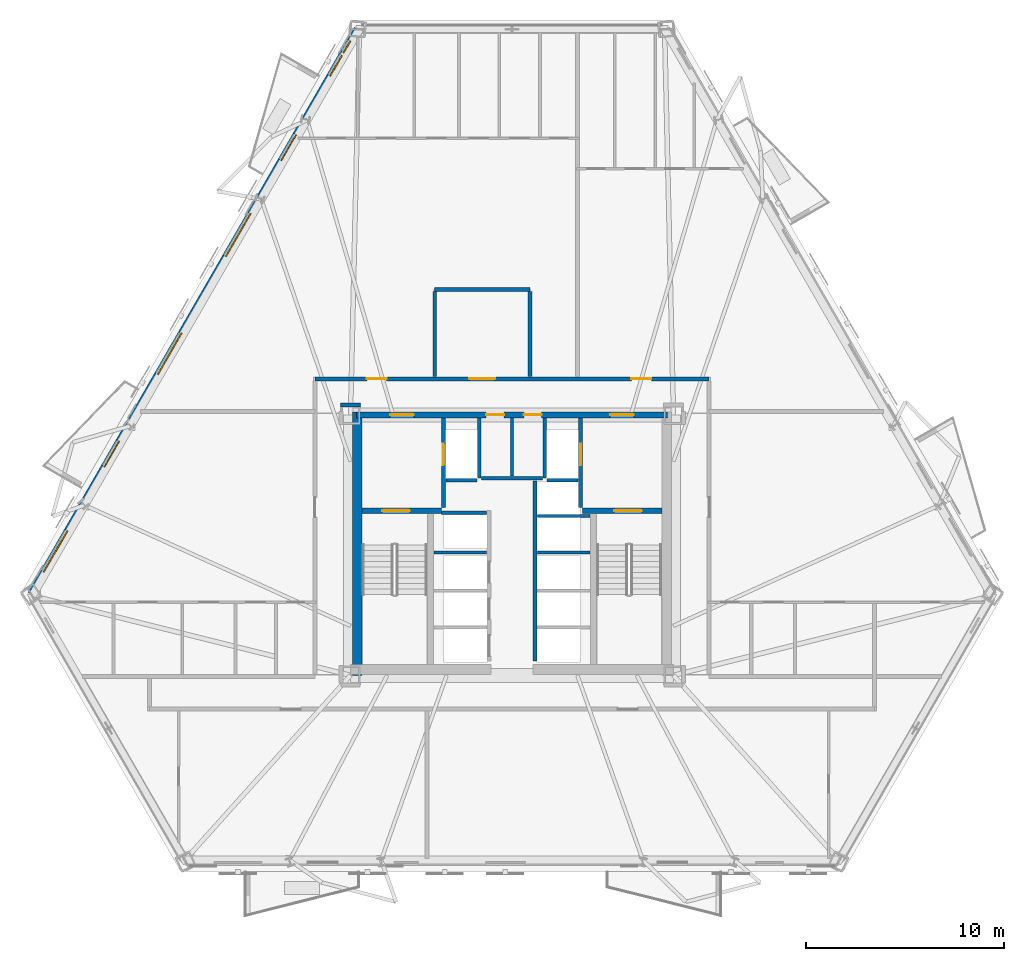
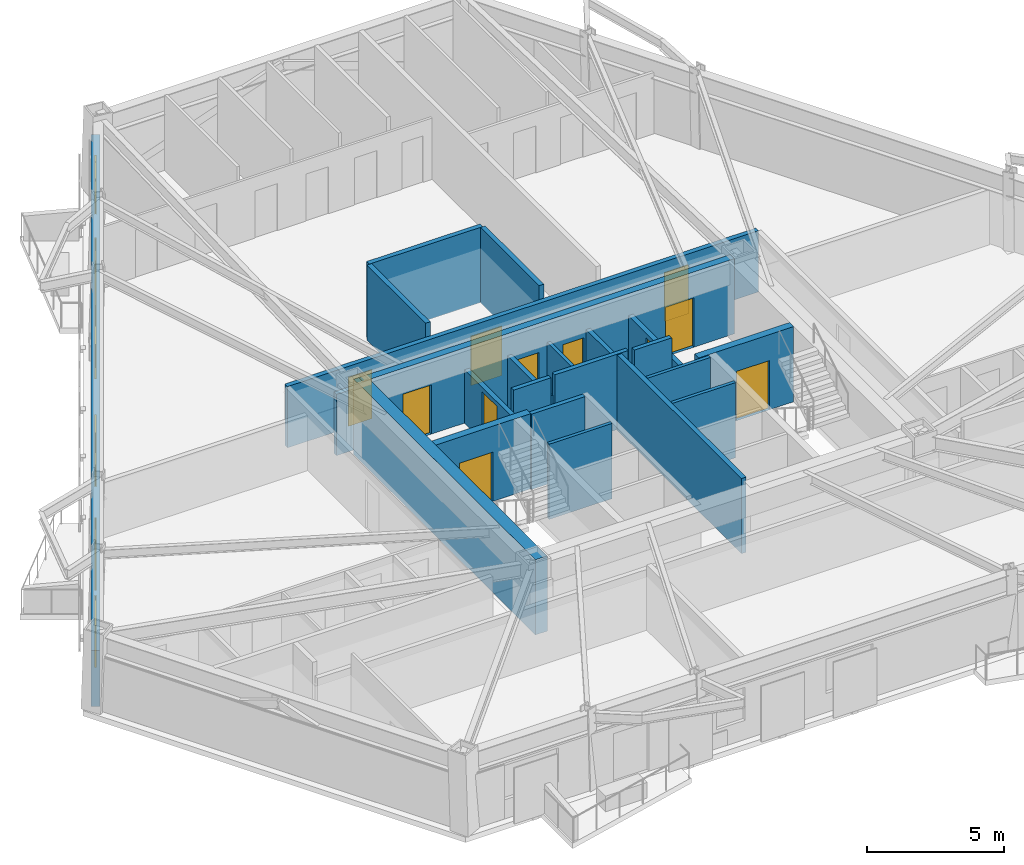
# One storey, part 4 of 12: 23 walls, 13 doors, 5 windows, 18 openings.
"""IFC4 building model written with IfcOpenShell, lengths in metres."""

from ifc_helpers import new_model, si_unit, direction, frame, frame_2d, origin, place, context, subcontext, project, spatial, rectangle, extrude, material, layer, layer_set, type_object, element, fill, save


model = new_model("IFC4")

# Units and contexts
model_context = context("Model", 3, precision=1e-05, world=origin(), true_north=direction((0.0, 1.0)))
body_context = subcontext(model_context, "Body", "Model", "MODEL_VIEW")
ifc_project = project(units=[si_unit("LENGTHUNIT", "METRE"), si_unit("AREAUNIT", "SQUARE_METRE"), si_unit("VOLUMEUNIT", "CUBIC_METRE"), si_unit("PLANEANGLEUNIT", "RADIAN"), si_unit("MASSUNIT", "GRAM", prefix="KILO")], contexts=[model_context])

# Site, building, storey
site_placement = place(None, origin())
site = spatial("IfcSite", under=ifc_project, at=site_placement, CompositionType="ELEMENT")
building_placement = place(site_placement, origin())
building = spatial("IfcBuilding", under=site, at=building_placement, Name="Oramaril Tower", CompositionType="ELEMENT")
storey_placement = place(building_placement, frame((0.0, 0.0, 34.5)))
storey = spatial("IfcBuildingStorey", under=building, at=storey_placement, Name="L08", CompositionType="ELEMENT", Elevation=34.5)

# Wall, openings, doors, windows
ifc_material_1 = material(Name="Warm Cream Limestone", Category="masonry")
ifc_layer_1 = layer(ifc_material_1, 0.340087890625)
ifc_layer_set_1 = layer_set([ifc_layer_1], Name="WT-EXT34")
wall_type_1 = type_object("IfcWallType", Name="WT-EXT34", PredefinedType="SOLIDWALL", material=ifc_layer_set_1)
wall_1_placement = place(storey_placement, frame((29.683837890625, 43.621337890625, 0.0), z_axis=(0.0, 0.0, 1.0), x_axis=(-0.499999106891, -0.866025919421, 0.0)))
wall_1 = element("IfcWall", 1, at=wall_1_placement, inside=storey, type_object=wall_type_1, Name="L08 Tower Limestone Facade Wall 6M", PredefinedType="SOLIDWALL", context=body_context, shape_type="SweptSolid", body=[
    extrude(rectangle(XDim=32.923828125, YDim=0.340087890625, at=frame_2d((16.4619140625, 0.0))), origin(), (0.0, 0.0, 1.0), 2.493896484375),
])
opening_1_placement = place(wall_1_placement, frame((6.159423828125, 0.0, 0.0)))
opening_1 = element("IfcOpeningElement", 2, at=opening_1_placement, cuts=wall_1, Name="Opening D-L08-BAL-NW1", PredefinedType="OPENING", context=body_context, shape_type="SweptSolid", body=[
    extrude(rectangle(XDim=1.5, YDim=2.199951171875, at=frame_2d((0.75, 1.10009765625))), frame((0.0, 0.169921875, 0.0), z_axis=(0.0, -1.0, 0.0), x_axis=(1.0, 0.0, 0.0)), (0.0, 0.0, 1.0), 0.340087890625),
])
opening_2_placement = place(wall_1_placement, frame((24.019287109375, 0.0, 0.0)))
opening_2 = element("IfcOpeningElement", 3, at=opening_2_placement, cuts=wall_1, Name="Opening D-L08-BAL-NW2", PredefinedType="OPENING", context=body_context, shape_type="SweptSolid", body=[
    extrude(rectangle(XDim=1.5, YDim=2.199951171875, at=frame_2d((0.75, 1.10009765625))), frame((0.0, 0.169921875, 0.0), z_axis=(0.0, -1.0, 0.0), x_axis=(1.0, 0.0, 0.0)), (0.0, 0.0, 1.0), 0.340087890625),
])
opening_3_placement = place(wall_1_placement, frame((29.2451171875, 0.0, 0.85009765625)))
opening_3 = element("IfcOpeningElement", 4, at=opening_3_placement, cuts=wall_1, Name="Opening WN-03", PredefinedType="OPENING", context=body_context, shape_type="SweptSolid", body=[
    extrude(rectangle(XDim=2.39990234375, YDim=1.533935546875, at=frame_2d((1.199951171875, 0.76708984375))), frame((0.0, 0.169921875, 0.0), z_axis=(0.0, -1.0, 0.0), x_axis=(1.0, 0.0, 0.0)), (0.0, 0.0, 1.0), 0.340087890625),
])
opening_4_placement = place(wall_1_placement, frame((10.753173828125, 0.0, 0.85009765625)))
opening_4 = element("IfcOpeningElement", 5, at=opening_4_placement, cuts=wall_1, Name="Opening WN-11", PredefinedType="OPENING", context=body_context, shape_type="SweptSolid", body=[
    extrude(rectangle(XDim=2.5, YDim=1.533935546875, at=frame_2d((1.25, 0.76708984375))), frame((0.0, 0.169921875, 0.0), z_axis=(0.0, -1.0, 0.0), x_axis=(1.0, 0.0, 0.0)), (0.0, 0.0, 1.0), 0.340087890625),
])
opening_5_placement = place(wall_1_placement, frame((17.723388671875, 0.0, 0.85009765625)))
opening_5 = element("IfcOpeningElement", 6, at=opening_5_placement, cuts=wall_1, Name="Opening WN-03", PredefinedType="OPENING", context=body_context, shape_type="SweptSolid", body=[
    extrude(rectangle(XDim=2.39990234375, YDim=1.533935546875, at=frame_2d((1.199951171875, 0.76708984375))), frame((0.0, 0.169921875, 0.0), z_axis=(0.0, -1.0, 0.0), x_axis=(1.0, 0.0, 0.0)), (0.0, 0.0, 1.0), 0.340087890625),
])
opening_6_placement = place(wall_1_placement, frame((1.537841796875, 0.0, 0.85009765625)))
opening_6 = element("IfcOpeningElement", 7, at=opening_6_placement, cuts=wall_1, Name="Opening WN-09", PredefinedType="OPENING", context=body_context, shape_type="SweptSolid", body=[
    extrude(rectangle(XDim=1.199951171875, YDim=1.47998046875, at=frame_2d((0.60009765625, 0.739990234375))), frame((0.0, 0.169921875, 0.0), z_axis=(0.0, -1.0, 0.0), x_axis=(1.0, 0.0, 0.0)), (0.0, 0.0, 1.0), 0.340087890625),
])
opening_7_placement = place(wall_1_placement, frame((0.68994140625, 0.0, 0.85009765625)))
opening_7 = element("IfcOpeningElement", 8, at=opening_7_placement, cuts=wall_1, Name="Opening WN-14", PredefinedType="OPENING", context=body_context, shape_type="SweptSolid", body=[
    extrude(rectangle(XDim=0.699951171875, YDim=1.199951171875, at=frame_2d((0.35009765625, 0.60009765625))), frame((0.0, 0.169921875, 0.0), z_axis=(0.0, -1.0, 0.0), x_axis=(1.0, 0.0, 0.0)), (0.0, 0.0, 1.0), 0.340087890625),
])
ifc_material_2 = material(Name="Anodised Aluminium 6063-T6", Category="aluminium")
door_type_1 = type_object("IfcDoorType", Name="DT-BAL", OperationType="NOTDEFINED", PredefinedType="DOOR", material=ifc_material_2)
door_1_placement = place(opening_1_placement, origin())
door_1 = element("IfcDoor", 9, at=door_1_placement, inside=storey, type_object=door_type_1, Name="L08 Balcony Glazed Door L08-BAL-NW1", OperationType="SINGLE_SWING_LEFT", OverallHeight=2.199951171875, OverallWidth=1.5, PredefinedType="DOOR", context=body_context, shape_type="SweptSolid", body=[
    extrude(rectangle(XDim=1.5, YDim=2.199951171875, at=frame_2d((0.75, 1.10009765625))), frame((0.0, 0.02490234375, 0.0), z_axis=(0.0, -1.0, 0.0), x_axis=(1.0, 0.0, 0.0)), (0.0, 0.0, 1.0), 0.050048828125),
])
fill(opening_1, door_1)
door_2_placement = place(opening_2_placement, origin())
door_2 = element("IfcDoor", 10, at=door_2_placement, inside=storey, type_object=door_type_1, Name="L08 Balcony Glazed Door L08-BAL-NW2", OperationType="SINGLE_SWING_RIGHT", OverallHeight=2.199951171875, OverallWidth=1.5, PredefinedType="DOOR", context=body_context, shape_type="SweptSolid", body=[
    extrude(rectangle(XDim=1.5, YDim=2.199951171875, at=frame_2d((0.75, 1.10009765625))), frame((0.0, 0.02490234375, 0.0), z_axis=(0.0, -1.0, 0.0), x_axis=(1.0, 0.0, 0.0)), (0.0, 0.0, 1.0), 0.050048828125),
])
fill(opening_2, door_2)
ifc_material_3 = material(Name="Coastal Low-E Insulated Glass", Category="glass")
window_type_1 = type_object("IfcWindowType", Name="WNT-03", PartitioningType="SINGLE_PANEL", PredefinedType="WINDOW", material=ifc_material_3)
window_1_placement = place(opening_3_placement, origin())
window_1 = element("IfcWindow", 11, at=window_1_placement, inside=storey, type_object=window_type_1, Name="L08 Chicago Bay Window WN-03", OverallHeight=1.533935546875, OverallWidth=2.39990234375, PartitioningType="SINGLE_PANEL", PredefinedType="WINDOW", context=body_context, shape_type="SweptSolid", body=[
    extrude(rectangle(XDim=2.39990234375, YDim=1.533935546875, at=frame_2d((1.199951171875, 0.76708984375))), frame((0.0, 0.030029296875, 0.0), z_axis=(0.0, -1.0, 0.0), x_axis=(1.0, 0.0, 0.0)), (0.0, 0.0, 1.0), 0.06005859375),
])
fill(opening_3, window_1)
window_2_placement = place(opening_5_placement, origin())
window_2 = element("IfcWindow", 12, at=window_2_placement, inside=storey, type_object=window_type_1, Name="L08 Chicago Bay Window WN-03", OverallHeight=1.533935546875, OverallWidth=2.39990234375, PartitioningType="SINGLE_PANEL", PredefinedType="WINDOW", context=body_context, shape_type="SweptSolid", body=[
    extrude(rectangle(XDim=2.39990234375, YDim=1.533935546875, at=frame_2d((1.199951171875, 0.76708984375))), frame((0.0, 0.030029296875, 0.0), z_axis=(0.0, -1.0, 0.0), x_axis=(1.0, 0.0, 0.0)), (0.0, 0.0, 1.0), 0.06005859375),
])
fill(opening_5, window_2)
ifc_material_4 = material(Name="Coastal Low-E Insulated Glass", Category="glass")
window_type_2 = type_object("IfcWindowType", Name="WNT-09", PartitioningType="SINGLE_PANEL", PredefinedType="WINDOW", material=ifc_material_4)
window_3_placement = place(opening_6_placement, origin())
window_3 = element("IfcWindow", 13, at=window_3_placement, inside=storey, type_object=window_type_2, Name="L08 Chicago Bay Window WN-09", OverallHeight=1.47998046875, OverallWidth=1.199951171875, PartitioningType="SINGLE_PANEL", PredefinedType="WINDOW", context=body_context, shape_type="SweptSolid", body=[
    extrude(rectangle(XDim=1.199951171875, YDim=1.47998046875, at=frame_2d((0.60009765625, 0.739990234375))), frame((0.0, 0.030029296875, 0.0), z_axis=(0.0, -1.0, 0.0), x_axis=(1.0, 0.0, 0.0)), (0.0, 0.0, 1.0), 0.06005859375),
])
fill(opening_6, window_3)
ifc_material_5 = material(Name="Coastal Low-E Insulated Glass", Category="glass")
window_type_3 = type_object("IfcWindowType", Name="WNT-11", PartitioningType="SINGLE_PANEL", PredefinedType="WINDOW", material=ifc_material_5)
window_4_placement = place(opening_4_placement, origin())
window_4 = element("IfcWindow", 14, at=window_4_placement, inside=storey, type_object=window_type_3, Name="L08 Chicago Bay Window WN-11", OverallHeight=1.533935546875, OverallWidth=2.5, PartitioningType="SINGLE_PANEL", PredefinedType="WINDOW", context=body_context, shape_type="SweptSolid", body=[
    extrude(rectangle(XDim=2.5, YDim=1.533935546875, at=frame_2d((1.25, 0.76708984375))), frame((0.0, 0.030029296875, 0.0), z_axis=(0.0, -1.0, 0.0), x_axis=(1.0, 0.0, 0.0)), (0.0, 0.0, 1.0), 0.06005859375),
])
fill(opening_4, window_4)
ifc_material_6 = material(Name="Coastal Low-E Insulated Glass", Category="glass")
window_type_4 = type_object("IfcWindowType", Name="WNT-14", PartitioningType="SINGLE_PANEL", PredefinedType="WINDOW", material=ifc_material_6)
window_5_placement = place(opening_7_placement, origin())
window_5 = element("IfcWindow", 15, at=window_5_placement, inside=storey, type_object=window_type_4, Name="L08 Apartment Bedroom Window WN-14", OverallHeight=1.199951171875, OverallWidth=0.699951171875, PartitioningType="SINGLE_PANEL", PredefinedType="WINDOW", context=body_context, shape_type="SweptSolid", body=[
    extrude(rectangle(XDim=0.699951171875, YDim=1.199951171875, at=frame_2d((0.35009765625, 0.60009765625))), frame((0.0, 0.030029296875, 0.0), z_axis=(0.0, -1.0, 0.0), x_axis=(1.0, 0.0, 0.0)), (0.0, 0.0, 1.0), 0.06005859375),
])
fill(opening_7, window_5)

# Walls
ifc_material_7 = material(Name="Acoustic Gypsum Board Partition")
ifc_layer_2 = layer(ifc_material_7, 0.139892578125)
ifc_layer_set_2 = layer_set([ifc_layer_2], Name="WT-PT14")
wall_type_2 = type_object("IfcWallType", Name="WT-PT14", PredefinedType="PARTITIONING", material=ifc_layer_set_2)
for number, where, z_axis, x_axis, name in (
    (16, (33.56005859375, 17.199951171875, 0.0), (0.0, 0.0, 1.0), (1.0, 0.0, 0.0), "L08 West Lift Divider"),
    (17, (38.780029296875, 17.199951171875, 0.0), (0.0, 0.0, 1.0), (1.0, 0.0, 0.0), "L08 East Lift Divider"),
    (18, (38.780029296875, 19.050048828125, 0.0), (0.0, 0.0, 1.0), (1.0, 0.0, 0.0), "L08 East Lift Divider"),
):
    element("IfcWall", number, at=place(storey_placement, frame(where, z_axis=z_axis, x_axis=x_axis)), inside=storey, type_object=wall_type_2, Name=name, PredefinedType="PARTITIONING", context=body_context, shape_type="SweptSolid", body=[
        extrude(rectangle(XDim=2.659912109375, YDim=0.139892578125, at=frame_2d((1.330078125, 0.0))), origin(), (0.0, 0.0, 1.0), 3.360107421875),
    ])
wall_2_placement = place(storey_placement, frame((37.5, 21.06005859375, 0.0), z_axis=(0.0, 0.0, 1.0), x_axis=(0.0, 1.0, 0.0)))
element("IfcWall", 19, at=wall_2_placement, inside=storey, type_object=wall_type_2, Name="L08 Core Service Divider", PredefinedType="PARTITIONING", context=body_context, shape_type="SweptSolid", body=[
    extrude(rectangle(XDim=2.919921875, YDim=0.139892578125, at=frame_2d((1.4599609375, 0.0))), origin(), (0.0, 0.0, 1.0), 2.39990234375),
])
ifc_material_8 = material(Name="Autoclaved Cellular Concrete Block", Category="concrete")
ifc_layer_3 = layer(ifc_material_8, 0.179931640625)
ifc_layer_set_3 = layer_set([ifc_layer_3], Name="WT-PT18")
wall_type_3 = type_object("IfcWallType", Name="WT-PT18", PredefinedType="PARTITIONING", material=ifc_layer_set_3)
wall_3_placement = place(storey_placement, frame((35.840087890625, 20.9599609375, 0.0), z_axis=(0.0, 0.0, 1.0), x_axis=(0.0, 1.0, 0.0)))
element("IfcWall", 20, at=wall_3_placement, inside=storey, type_object=wall_type_3, Name="L08 FL-1 East Shaft Wall", PredefinedType="PARTITIONING", context=body_context, shape_type="SweptSolid", body=[
    extrude(rectangle(XDim=3.02001953125, YDim=0.179931640625, at=frame_2d((1.510009765625, 0.0))), origin(), (0.0, 0.0, 1.0), 2.39990234375),
])
wall_4_placement = place(storey_placement, frame((34.159912109375, 20.860107421875, 0.0), z_axis=(0.0, 0.0, 1.0), x_axis=(1.0, 0.0, 0.0)))
element("IfcWall", 21, at=wall_4_placement, inside=storey, type_object=wall_type_3, Name="L08 FL-1 South Shaft Wall", PredefinedType="PARTITIONING", context=body_context, shape_type="SweptSolid", body=[
    extrude(rectangle(XDim=1.580078125, YDim=0.179931640625, at=frame_2d((0.7900390625, 0.0))), origin(), (0.0, 0.0, 1.0), 3.360107421875),
])
wall_5_placement = place(storey_placement, frame((39.159912109375, 20.9599609375, 0.0), z_axis=(0.0, 0.0, 1.0), x_axis=(0.0, 1.0, 0.0)))
element("IfcWall", 22, at=wall_5_placement, inside=storey, type_object=wall_type_3, Name="L08 FL-2 West Shaft Wall", PredefinedType="PARTITIONING", context=body_context, shape_type="SweptSolid", body=[
    extrude(rectangle(XDim=3.02001953125, YDim=0.179931640625, at=frame_2d((1.510009765625, 0.0))), origin(), (0.0, 0.0, 1.0), 2.39990234375),
])
wall_6_placement = place(storey_placement, frame((39.260009765625, 20.860107421875, 0.0), z_axis=(0.0, 0.0, 1.0), x_axis=(1.0, 0.0, 0.0)))
element("IfcWall", 23, at=wall_6_placement, inside=storey, type_object=wall_type_3, Name="L08 FL-2 South Shaft Wall", PredefinedType="PARTITIONING", context=body_context, shape_type="SweptSolid", body=[
    extrude(rectangle(XDim=1.580078125, YDim=0.179931640625, at=frame_2d((0.7900390625, 0.0))), origin(), (0.0, 0.0, 1.0), 3.360107421875),
])
wall_7_placement = place(storey_placement, frame((33.949951171875, 19.199951171875, 0.0), z_axis=(0.0, 0.0, 1.0), x_axis=(1.0, 0.0, 0.0)))
element("IfcWall", 24, at=wall_7_placement, inside=storey, type_object=wall_type_3, Name="L08 High-Rise Lift H1 North Shaft Wall", PredefinedType="PARTITIONING", context=body_context, shape_type="SweptSolid", body=[
    extrude(rectangle(XDim=2.27001953125, YDim=0.179931640625, at=frame_2d((1.135009765625, 0.0))), origin(), (0.0, 0.0, 1.0), 3.360107421875),
])
wall_8_placement = place(storey_placement, frame((35.949951171875, 20.949951171875, 0.0), z_axis=(0.0, 0.0, 1.0), x_axis=(1.0, 0.0, 0.0)))
element("IfcWall", 25, at=wall_8_placement, inside=storey, type_object=wall_type_3, Name="L08 Lift Lobby North Partition", PredefinedType="PARTITIONING", context=body_context, shape_type="SweptSolid", body=[
    extrude(rectangle(XDim=3.10009765625, YDim=0.179931640625, at=frame_2d((1.550048828125, 0.0))), origin(), (0.0, 0.0, 1.0), 3.360107421875),
])
ifc_material_9 = material(Name="Autoclaved Cellular Concrete Block", Category="concrete")
ifc_layer_4 = layer(ifc_material_9, 0.199951171875)
ifc_layer_set_4 = layer_set([ifc_layer_4], Name="WT-PT20")
wall_type_4 = type_object("IfcWallType", Name="WT-PT20", PredefinedType="PARTITIONING", material=ifc_layer_set_4)
wall_9_placement = place(storey_placement, frame((28.85498046875, 24.639892578125, 0.0), z_axis=(0.0, 0.0, 1.0), x_axis=(1.0, 0.0, 0.0)))
element("IfcWall", 26, at=wall_9_placement, inside=storey, type_object=wall_type_4, Name="L08 Interior Partition PT-20", PredefinedType="PARTITIONING", context=body_context, shape_type="SweptSolid", body=[
    extrude(rectangle(XDim=0.989990234375, YDim=0.199951171875, at=frame_2d((0.4951171875, 0.0))), origin(), (0.0, 0.0, 1.0), 2.738037109375),
])

# Wall, openings, doors
wall_10_placement = place(storey_placement, frame((27.550048828125, 25.969970703125, 0.0), z_axis=(0.0, 0.0, 1.0), x_axis=(1.0, 0.0, 0.0)))
wall_10 = element("IfcWall", 27, at=wall_10_placement, inside=storey, type_object=wall_type_4, Name="L08 Interior Partition PT-20", PredefinedType="PARTITIONING", context=body_context, shape_type="SweptSolid", body=[
    extrude(rectangle(XDim=19.89990234375, YDim=0.199951171875, at=frame_2d((9.949951171875, 0.0))), origin(), (0.0, 0.0, 1.0), 2.738037109375),
])
opening_8_placement = place(wall_10_placement, frame((2.618896484375, 0.0, 0.0)))
opening_8 = element("IfcOpeningElement", 28, at=opening_8_placement, cuts=wall_10, Name="Opening D-L08-12", PredefinedType="OPENING", context=body_context, shape_type="SweptSolid", body=[
    extrude(rectangle(XDim=1.0, YDim=2.179931640625, at=frame_2d((0.5, 1.08984375))), frame((0.0, 0.10009765625, 0.0), z_axis=(0.0, -1.0, 0.0), x_axis=(1.0, 0.0, 0.0)), (0.0, 0.0, 1.0), 0.199951171875),
])
opening_9_placement = place(wall_10_placement, frame((7.800048828125, 0.0, 0.0)))
opening_9 = element("IfcOpeningElement", 29, at=opening_9_placement, cuts=wall_10, Name="Opening D-L08-13", PredefinedType="OPENING", context=body_context, shape_type="SweptSolid", body=[
    extrude(rectangle(XDim=1.300048828125, YDim=2.199951171875, at=frame_2d((0.64990234375, 1.10009765625))), frame((0.0, 0.10009765625, 0.0), z_axis=(0.0, -1.0, 0.0), x_axis=(1.0, 0.0, 0.0)), (0.0, 0.0, 1.0), 0.199951171875),
])
opening_10_placement = place(wall_10_placement, frame((15.98095703125, 0.0, 0.0)))
opening_10 = element("IfcOpeningElement", 30, at=opening_10_placement, cuts=wall_10, Name="Opening D-L08-14", PredefinedType="OPENING", context=body_context, shape_type="SweptSolid", body=[
    extrude(rectangle(XDim=1.0, YDim=2.179931640625, at=frame_2d((0.5, 1.08984375))), frame((0.0, 0.10009765625, 0.0), z_axis=(0.0, -1.0, 0.0), x_axis=(1.0, 0.0, 0.0)), (0.0, 0.0, 1.0), 0.199951171875),
])
ifc_material_10 = material(Name="FSC Brazilian Freijo Hardwood", Category="wood")
door_type_2 = type_object("IfcDoorType", Name="DT-APT", OperationType="NOTDEFINED", PredefinedType="DOOR", material=ifc_material_10)
door_3_placement = place(opening_8_placement, origin())
door_3 = element("IfcDoor", 31, at=door_3_placement, inside=storey, type_object=door_type_2, Name="L08 Flat L08-U5 Penthouse 2-Bedroom Living and Dining Room Door D-L08-12", OperationType="SINGLE_SWING_RIGHT", OverallHeight=2.179931640625, OverallWidth=1.0, PredefinedType="DOOR", context=body_context, shape_type="SweptSolid", body=[
    extrude(rectangle(XDim=1.0, YDim=2.179931640625, at=frame_2d((0.5, 1.08984375))), frame((0.0, 0.02490234375, 0.0), z_axis=(0.0, -1.0, 0.0), x_axis=(1.0, 0.0, 0.0)), (0.0, 0.0, 1.0), 0.050048828125),
])
fill(opening_8, door_3)
door_4_placement = place(opening_10_placement, origin())
door_4 = element("IfcDoor", 32, at=door_4_placement, inside=storey, type_object=door_type_2, Name="L08 Flat L08-U6 Studio Apartment Door D-L08-14", OperationType="SINGLE_SWING_RIGHT", OverallHeight=2.179931640625, OverallWidth=1.0, PredefinedType="DOOR", context=body_context, shape_type="SweptSolid", body=[
    extrude(rectangle(XDim=1.0, YDim=2.179931640625, at=frame_2d((0.5, 1.08984375))), frame((0.0, 0.02490234375, 0.0), z_axis=(0.0, -1.0, 0.0), x_axis=(1.0, 0.0, 0.0)), (0.0, 0.0, 1.0), 0.050048828125),
])
fill(opening_10, door_4)
ifc_material_11 = material(Name="FSC Brazilian Freijo Hardwood", Category="wood")
door_type_3 = type_object("IfcDoorType", Name="DT-COM", OperationType="NOTDEFINED", PredefinedType="DOOR", material=ifc_material_11)
door_5_placement = place(opening_9_placement, origin())
door_5 = element("IfcDoor", 33, at=door_5_placement, inside=storey, type_object=door_type_3, Name="L08 L08 Floor Co-Working Office Suite Door D-L08-13", OperationType="SINGLE_SWING_LEFT", OverallHeight=2.199951171875, OverallWidth=1.300048828125, PredefinedType="DOOR", context=body_context, shape_type="SweptSolid", body=[
    extrude(rectangle(XDim=1.300048828125, YDim=2.199951171875, at=frame_2d((0.64990234375, 1.10009765625))), frame((0.0, 0.02490234375, 0.0), z_axis=(0.0, -1.0, 0.0), x_axis=(1.0, 0.0, 0.0)), (0.0, 0.0, 1.0), 0.050048828125),
])
fill(opening_9, door_5)

# Walls
wall_11_placement = place(storey_placement, frame((33.60009765625, 30.469970703125, 0.0), z_axis=(0.0, 0.0, 1.0), x_axis=(1.0, 0.0, 0.0)))
element("IfcWall", 34, at=wall_11_placement, inside=storey, type_object=wall_type_4, Name="L08 Interior Partition PT-20", PredefinedType="PARTITIONING", context=body_context, shape_type="SweptSolid", body=[
    extrude(rectangle(XDim=4.7998046875, YDim=0.199951171875, at=frame_2d((2.39990234375, 0.0))), origin(), (0.0, 0.0, 1.0), 3.360107421875),
])
for number, where, z_axis, x_axis, name in (
    (35, (33.60009765625, 26.073974609375, 0.0), (0.0, 0.0, 1.0), (0.0, 1.0, 0.0), "L08 Interior Partition PT-20"),
    (36, (38.39990234375, 26.073974609375, 0.0), (0.0, 0.0, 1.0), (0.0, 1.0, 0.0), "L08 Interior Partition PT-20"),
):
    element("IfcWall", number, at=place(storey_placement, frame(where, z_axis=z_axis, x_axis=x_axis)), inside=storey, type_object=wall_type_4, Name=name, PredefinedType="PARTITIONING", context=body_context, shape_type="SweptSolid", body=[
        extrude(rectangle(XDim=4.2919921875, YDim=0.199951171875, at=frame_2d((2.14599609375, 0.0))), origin(), (0.0, 0.0, 1.0), 3.360107421875),
    ])

# Wall, openings, doors
ifc_material_12 = material(Name="Concrete C50/60", Category="concrete")
ifc_layer_5 = layer(ifc_material_12, 0.300048828125)
ifc_layer_set_5 = layer_set([ifc_layer_5], Name="WT-SH30")
wall_type_5 = type_object("IfcWallType", Name="WT-SH30", PredefinedType="SHEAR", material=ifc_layer_set_5)
wall_12_placement = place(storey_placement, frame((29.64990234375, 24.14990234375, 0.0), z_axis=(0.0, 0.0, 1.0), x_axis=(1.0, 0.0, 0.0)))
wall_12 = element("IfcWall", 37, at=wall_12_placement, inside=storey, type_object=wall_type_5, Name="L08 Core Shear Wall CW-N", PredefinedType="SHEAR", context=body_context, shape_type="SweptSolid", body=[
    extrude(rectangle(XDim=15.7001953125, YDim=0.300048828125, at=frame_2d((7.85009765625, 0.0))), origin(), (0.0, 0.0, 1.0), 3.360107421875),
])
opening_11_placement = place(wall_12_placement, frame((1.699951171875, 0.0, 0.0)))
opening_11 = element("IfcOpeningElement", 38, at=opening_11_placement, cuts=wall_12, Name="Opening D-L08-FFL1", PredefinedType="OPENING", context=body_context, shape_type="SweptSolid", body=[
    extrude(rectangle(XDim=1.199951171875, YDim=2.199951171875, at=frame_2d((0.60009765625, 1.10009765625))), frame((0.0, 0.14990234375, 0.0), z_axis=(0.0, -1.0, 0.0), x_axis=(1.0, 0.0, 0.0)), (0.0, 0.0, 1.0), 0.300048828125),
])
opening_12_placement = place(wall_12_placement, frame((12.800048828125, 0.0, 0.0)))
opening_12 = element("IfcOpeningElement", 39, at=opening_12_placement, cuts=wall_12, Name="Opening D-L08-FFL2", PredefinedType="OPENING", context=body_context, shape_type="SweptSolid", body=[
    extrude(rectangle(XDim=1.199951171875, YDim=2.199951171875, at=frame_2d((0.60009765625, 1.10009765625))), frame((0.0, 0.14990234375, 0.0), z_axis=(0.0, -1.0, 0.0), x_axis=(1.0, 0.0, 0.0)), (0.0, 0.0, 1.0), 0.300048828125),
])
opening_13_placement = place(wall_12_placement, frame((6.550048828125, 0.0, 0.0)))
opening_13 = element("IfcOpeningElement", 40, at=opening_13_placement, cuts=wall_12, Name="Opening D-L08-SV1", PredefinedType="OPENING", context=body_context, shape_type="SweptSolid", body=[
    extrude(rectangle(XDim=0.89990234375, YDim=2.050048828125, at=frame_2d((0.449951171875, 1.02490234375))), frame((0.0, 0.14990234375, 0.0), z_axis=(0.0, -1.0, 0.0), x_axis=(1.0, 0.0, 0.0)), (0.0, 0.0, 1.0), 0.300048828125),
])
opening_14_placement = place(wall_12_placement, frame((8.449951171875, 0.0, 0.0)))
opening_14 = element("IfcOpeningElement", 41, at=opening_14_placement, cuts=wall_12, Name="Opening D-L08-SV2", PredefinedType="OPENING", context=body_context, shape_type="SweptSolid", body=[
    extrude(rectangle(XDim=0.89990234375, YDim=2.050048828125, at=frame_2d((0.449951171875, 1.02490234375))), frame((0.0, 0.14990234375, 0.0), z_axis=(0.0, -1.0, 0.0), x_axis=(1.0, 0.0, 0.0)), (0.0, 0.0, 1.0), 0.300048828125),
])
ifc_material_13 = material(Name="Painted Galvanised Steel", Category="steel")
door_type_4 = type_object("IfcDoorType", Name="DT-FFL", OperationType="NOTDEFINED", PredefinedType="DOOR", material=ifc_material_13)
door_6_placement = place(opening_11_placement, origin())
door_6 = element("IfcDoor", 42, at=door_6_placement, inside=storey, type_object=door_type_4, Name="L08 Firefighting Lobby 1 Fire Door", OperationType="SINGLE_SWING_LEFT", OverallHeight=2.199951171875, OverallWidth=1.199951171875, PredefinedType="DOOR", context=body_context, shape_type="SweptSolid", body=[
    extrude(rectangle(XDim=1.199951171875, YDim=2.199951171875, at=frame_2d((0.60009765625, 1.10009765625))), frame((0.0, 0.02490234375, 0.0), z_axis=(0.0, -1.0, 0.0), x_axis=(1.0, 0.0, 0.0)), (0.0, 0.0, 1.0), 0.050048828125),
])
fill(opening_11, door_6)
door_7_placement = place(opening_12_placement, origin())
door_7 = element("IfcDoor", 43, at=door_7_placement, inside=storey, type_object=door_type_4, Name="L08 Firefighting Lobby 2 Fire Door", OperationType="SINGLE_SWING_RIGHT", OverallHeight=2.199951171875, OverallWidth=1.199951171875, PredefinedType="DOOR", context=body_context, shape_type="SweptSolid", body=[
    extrude(rectangle(XDim=1.199951171875, YDim=2.199951171875, at=frame_2d((0.60009765625, 1.10009765625))), frame((0.0, 0.02490234375, 0.0), z_axis=(0.0, -1.0, 0.0), x_axis=(1.0, 0.0, 0.0)), (0.0, 0.0, 1.0), 0.050048828125),
])
fill(opening_12, door_7)
ifc_material_14 = material(Name="Painted Galvanised Steel", Category="steel")
door_type_5 = type_object("IfcDoorType", Name="DT-SVC", OperationType="NOTDEFINED", PredefinedType="DOOR", material=ifc_material_14)
door_8_placement = place(opening_13_placement, origin())
door_8 = element("IfcDoor", 44, at=door_8_placement, inside=storey, type_object=door_type_5, Name="L08 Core Service Store 1 Door", OperationType="SINGLE_SWING_LEFT", OverallHeight=2.050048828125, OverallWidth=0.89990234375, PredefinedType="DOOR", context=body_context, shape_type="SweptSolid", body=[
    extrude(rectangle(XDim=0.89990234375, YDim=2.050048828125, at=frame_2d((0.449951171875, 1.02490234375))), frame((0.0, 0.02490234375, 0.0), z_axis=(0.0, -1.0, 0.0), x_axis=(1.0, 0.0, 0.0)), (0.0, 0.0, 1.0), 0.050048828125),
])
fill(opening_13, door_8)
door_9_placement = place(opening_14_placement, origin())
door_9 = element("IfcDoor", 45, at=door_9_placement, inside=storey, type_object=door_type_5, Name="L08 Core Service Store 2 Door", OperationType="SINGLE_SWING_RIGHT", OverallHeight=2.050048828125, OverallWidth=0.89990234375, PredefinedType="DOOR", context=body_context, shape_type="SweptSolid", body=[
    extrude(rectangle(XDim=0.89990234375, YDim=2.050048828125, at=frame_2d((0.449951171875, 1.02490234375))), frame((0.0, 0.02490234375, 0.0), z_axis=(0.0, -1.0, 0.0), x_axis=(1.0, 0.0, 0.0)), (0.0, 0.0, 1.0), 0.050048828125),
])
fill(opening_14, door_9)

# Wall, opening, door
wall_13_placement = place(storey_placement, frame((29.93994140625, 19.31005859375, 0.0), z_axis=(0.0, 0.0, 1.0), x_axis=(1.0, 0.0, 0.0)))
wall_13 = element("IfcWall", 46, at=wall_13_placement, inside=storey, type_object=wall_type_5, Name="L08 Core Shear Wall CW-ST1N", PredefinedType="SHEAR", context=body_context, shape_type="SweptSolid", body=[
    extrude(rectangle(XDim=4.010009765625, YDim=0.300048828125, at=frame_2d((2.0048828125, 0.0))), origin(), (0.0, 0.0, 1.0), 3.360107421875),
])
opening_15_placement = place(wall_13_placement, frame((1.010009765625, 0.0, 0.0)))
opening_15 = element("IfcOpeningElement", 47, at=opening_15_placement, cuts=wall_13, Name="Opening D-L08-ST1", PredefinedType="OPENING", context=body_context, shape_type="SweptSolid", body=[
    extrude(rectangle(XDim=1.39990234375, YDim=2.199951171875, at=frame_2d((0.699951171875, 1.10009765625))), frame((0.0, 0.14990234375, 0.0), z_axis=(0.0, -1.0, 0.0), x_axis=(1.0, 0.0, 0.0)), (0.0, 0.0, 1.0), 0.300048828125),
])
ifc_material_15 = material(Name="Painted Galvanised Steel", Category="steel")
door_type_6 = type_object("IfcDoorType", Name="DT-ST", OperationType="NOTDEFINED", PredefinedType="DOOR", material=ifc_material_15)
door_10_placement = place(opening_15_placement, origin())
door_10 = element("IfcDoor", 48, at=door_10_placement, inside=storey, type_object=door_type_6, Name="L08 Protected Stair ST-1 Fire Door", OperationType="SINGLE_SWING_LEFT", OverallHeight=2.199951171875, OverallWidth=1.39990234375, PredefinedType="DOOR", context=body_context, shape_type="SweptSolid", body=[
    extrude(rectangle(XDim=1.39990234375, YDim=2.199951171875, at=frame_2d((0.699951171875, 1.10009765625))), frame((0.0, 0.02490234375, 0.0), z_axis=(0.0, -1.0, 0.0), x_axis=(1.0, 0.0, 0.0)), (0.0, 0.0, 1.0), 0.050048828125),
])
fill(opening_15, door_10)

wall_14_placement = place(storey_placement, frame((41.050048828125, 19.31005859375, 0.0), z_axis=(0.0, 0.0, 1.0), x_axis=(1.0, 0.0, 0.0)))
wall_14 = element("IfcWall", 49, at=wall_14_placement, inside=storey, type_object=wall_type_5, Name="L08 Core Shear Wall CW-ST2N", PredefinedType="SHEAR", context=body_context, shape_type="SweptSolid", body=[
    extrude(rectangle(XDim=4.010009765625, YDim=0.300048828125, at=frame_2d((2.0048828125, 0.0))), origin(), (0.0, 0.0, 1.0), 3.360107421875),
])
opening_16_placement = place(wall_14_placement, frame((1.60009765625, 0.0, 0.0)))
opening_16 = element("IfcOpeningElement", 50, at=opening_16_placement, cuts=wall_14, Name="Opening D-L08-ST2", PredefinedType="OPENING", context=body_context, shape_type="SweptSolid", body=[
    extrude(rectangle(XDim=1.39990234375, YDim=2.199951171875, at=frame_2d((0.699951171875, 1.10009765625))), frame((0.0, 0.14990234375, 0.0), z_axis=(0.0, -1.0, 0.0), x_axis=(1.0, 0.0, 0.0)), (0.0, 0.0, 1.0), 0.300048828125),
])
door_11_placement = place(opening_16_placement, origin())
door_11 = element("IfcDoor", 51, at=door_11_placement, inside=storey, type_object=door_type_6, Name="L08 Protected Stair ST-2 Fire Door", OperationType="SINGLE_SWING_RIGHT", OverallHeight=2.199951171875, OverallWidth=1.39990234375, PredefinedType="DOOR", context=body_context, shape_type="SweptSolid", body=[
    extrude(rectangle(XDim=1.39990234375, YDim=2.199951171875, at=frame_2d((0.699951171875, 1.10009765625))), frame((0.0, 0.02490234375, 0.0), z_axis=(0.0, -1.0, 0.0), x_axis=(1.0, 0.0, 0.0)), (0.0, 0.0, 1.0), 0.050048828125),
])
fill(opening_16, door_11)

# Wall
ifc_material_16 = material(Name="Concrete C50/60", Category="concrete")
ifc_layer_6 = layer(ifc_material_16, 0.5)
ifc_layer_set_6 = layer_set([ifc_layer_6], Name="WT-SH50")
wall_type_6 = type_object("IfcWallType", Name="WT-SH50", PredefinedType="SHEAR", material=ifc_layer_set_6)
wall_15_placement = place(storey_placement, frame((29.68994140625, 11.0, 0.0), z_axis=(0.0, 0.0, 1.0), x_axis=(0.0, 1.0, 0.0)))
element("IfcWall", 52, at=wall_15_placement, inside=storey, type_object=wall_type_6, Name="L08 Core Shear Wall CW-W", PredefinedType="SHEAR", context=body_context, shape_type="SweptSolid", body=[
    extrude(rectangle(XDim=13.300048828125, YDim=0.5, at=frame_2d((6.64990234375, 0.0))), origin(), (0.0, 0.0, 1.0), 3.360107421875),
])

# Wall, opening, door
ifc_material_17 = material(Name="Autoclaved Cellular Concrete Block", Category="concrete")
ifc_layer_7 = layer(ifc_material_17, 0.199951171875)
ifc_layer_set_7 = layer_set([ifc_layer_7], Name="WT-SHF20")
wall_type_7 = type_object("IfcWallType", Name="WT-SHF20", PredefinedType="PARTITIONING", material=ifc_layer_set_7)
wall_16_placement = place(storey_placement, frame((34.0400390625, 19.47998046875, 0.0), z_axis=(0.0, 0.0, 1.0), x_axis=(0.0, 1.0, 0.0)))
wall_16 = element("IfcWall", 53, at=wall_16_placement, inside=storey, type_object=wall_type_7, Name="L08 FL-1 Lobby Shaft Wall", PredefinedType="PARTITIONING", context=body_context, shape_type="SweptSolid", body=[
    extrude(rectangle(XDim=4.5, YDim=0.199951171875, at=frame_2d((2.25, 0.0))), origin(), (0.0, 0.0, 1.0), 2.39990234375),
])
opening_17_placement = place(wall_16_placement, frame((2.1201171875, 0.0, 0.0)))
opening_17 = element("IfcOpeningElement", 54, at=opening_17_placement, cuts=wall_16, Name="Opening LD-L08-FL-1", PredefinedType="OPENING", context=body_context, shape_type="SweptSolid", body=[
    extrude(rectangle(XDim=1.10009765625, YDim=2.199951171875, at=frame_2d((0.550048828125, 1.10009765625))), frame((0.0, 0.10009765625, 0.0), z_axis=(0.0, -1.0, 0.0), x_axis=(1.0, 0.0, 0.0)), (0.0, 0.0, 1.0), 0.199951171875),
])
ifc_material_18 = material(Name="Stainless Steel 316L", Category="steel")
door_type_7 = type_object("IfcDoorType", Name="DT-LD1", OperationType="NOTDEFINED", PredefinedType="DOOR", material=ifc_material_18)
door_12_placement = place(opening_17_placement, origin())
door_12 = element("IfcDoor", 55, at=door_12_placement, inside=storey, type_object=door_type_7, Name="L08 Lift FL-1 Sliding Landing Door", OperationType="SLIDING_TO_LEFT", OverallHeight=2.199951171875, OverallWidth=1.10009765625, PredefinedType="DOOR", context=body_context, shape_type="SweptSolid", body=[
    extrude(rectangle(XDim=1.10009765625, YDim=2.199951171875, at=frame_2d((0.550048828125, 1.10009765625))), frame((0.0, 0.02490234375, 0.0), z_axis=(0.0, -1.0, 0.0), x_axis=(1.0, 0.0, 0.0)), (0.0, 0.0, 1.0), 0.050048828125),
])
fill(opening_17, door_12)

wall_17_placement = place(storey_placement, frame((40.9599609375, 19.47998046875, 0.0), z_axis=(0.0, 0.0, 1.0), x_axis=(0.0, 1.0, 0.0)))
wall_17 = element("IfcWall", 56, at=wall_17_placement, inside=storey, type_object=wall_type_7, Name="L08 FL-2 Lobby Shaft Wall", PredefinedType="PARTITIONING", context=body_context, shape_type="SweptSolid", body=[
    extrude(rectangle(XDim=4.5, YDim=0.199951171875, at=frame_2d((2.25, 0.0))), origin(), (0.0, 0.0, 1.0), 2.39990234375),
])
opening_18_placement = place(wall_17_placement, frame((2.1201171875, 0.0, 0.0)))
opening_18 = element("IfcOpeningElement", 57, at=opening_18_placement, cuts=wall_17, Name="Opening LD-L08-FL-2", PredefinedType="OPENING", context=body_context, shape_type="SweptSolid", body=[
    extrude(rectangle(XDim=1.10009765625, YDim=2.199951171875, at=frame_2d((0.550048828125, 1.10009765625))), frame((0.0, 0.10009765625, 0.0), z_axis=(0.0, -1.0, 0.0), x_axis=(1.0, 0.0, 0.0)), (0.0, 0.0, 1.0), 0.199951171875),
])
door_13_placement = place(opening_18_placement, origin())
door_13 = element("IfcDoor", 58, at=door_13_placement, inside=storey, type_object=door_type_7, Name="L08 Lift FL-2 Sliding Landing Door", OperationType="SLIDING_TO_RIGHT", OverallHeight=2.199951171875, OverallWidth=1.10009765625, PredefinedType="DOOR", context=body_context, shape_type="SweptSolid", body=[
    extrude(rectangle(XDim=1.10009765625, YDim=2.199951171875, at=frame_2d((0.550048828125, 1.10009765625))), frame((0.0, 0.02490234375, 0.0), z_axis=(0.0, -1.0, 0.0), x_axis=(1.0, 0.0, 0.0)), (0.0, 0.0, 1.0), 0.050048828125),
])
fill(opening_18, door_13)

# Wall
wall_18_placement = place(storey_placement, frame((38.659912109375, 11.719970703125, 0.0), z_axis=(0.0, 0.0, 1.0), x_axis=(0.0, 1.0, 0.0)))
element("IfcWall", 59, at=wall_18_placement, inside=storey, type_object=wall_type_7, Name="L08 East Lift Bank Front Wall", PredefinedType="PARTITIONING", context=body_context, shape_type="SweptSolid", body=[
    extrude(rectangle(XDim=9.10009765625, YDim=0.199951171875, at=frame_2d((4.550048828125, 0.0))), origin(), (0.0, 0.0, 1.0), 3.360107421875),
])

save(model, "model.ifc")
